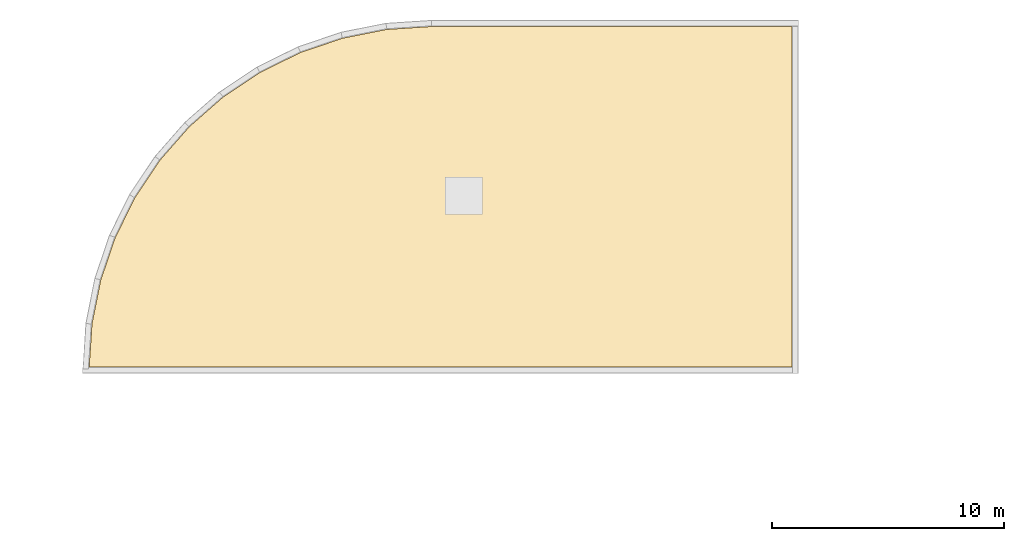
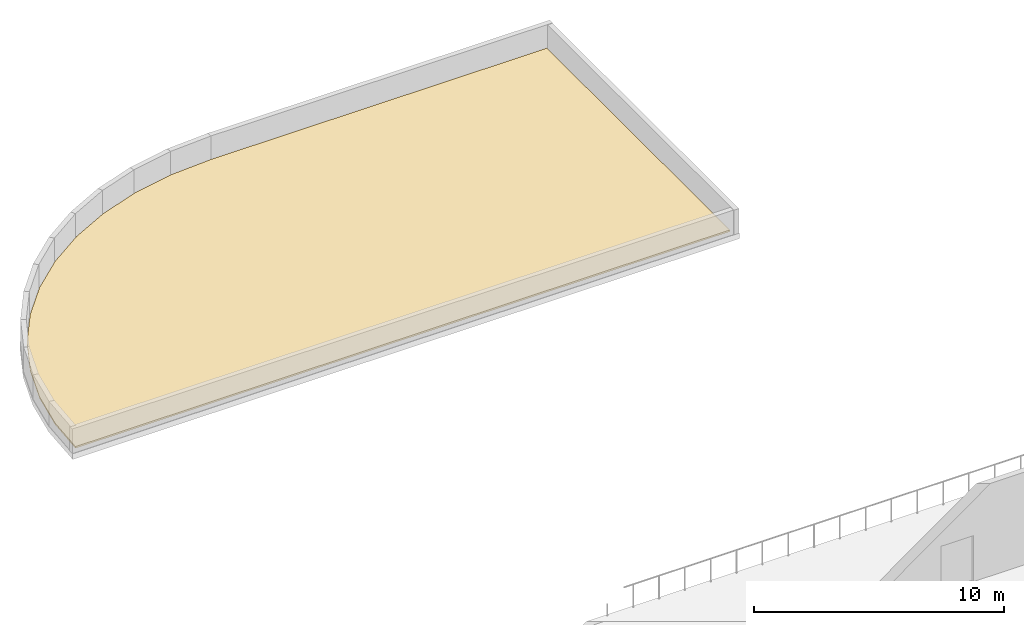
# One storey, part 23 of 23: 1 covering.
"""IFC4 building model written with IfcOpenShell, lengths in metres."""

from ifc_helpers import new_model, si_unit, direction, frame, origin, place, context, subcontext, project, spatial, polyline, outline, extrude, material, layer, layer_set, type_object, element, save


model = new_model("IFC4")

# Units and contexts
model_context = context("Model", 3, precision=1e-05, world=origin(), true_north=direction((0.0, 1.0)))
body_context = subcontext(model_context, "Body", "Model", "MODEL_VIEW")
ifc_project = project(units=[si_unit("LENGTHUNIT", "METRE"), si_unit("AREAUNIT", "SQUARE_METRE"), si_unit("VOLUMEUNIT", "CUBIC_METRE"), si_unit("PLANEANGLEUNIT", "RADIAN"), si_unit("MASSUNIT", "GRAM", prefix="KILO")], contexts=[model_context])

# Site, building, storey
site_placement = place(None, origin())
site = spatial("IfcSite", under=ifc_project, at=site_placement, CompositionType="ELEMENT")
building_placement = place(site_placement, origin())
building = spatial("IfcBuilding", under=site, at=building_placement, Name="Cendralis Terraced Arcade", CompositionType="ELEMENT")
storey_placement = place(building_placement, frame((0.0, 0.0, 29.39990234375)))
storey = spatial("IfcBuildingStorey", under=building, at=storey_placement, Name="L06", CompositionType="ELEMENT", Elevation=29.39990234375)

# Covering
ifc_material = material(Name="TPO insulated waterproofing membrane")
ifc_layer = layer(ifc_material, 0.080078125, Name="COV-ROOF-MEM-80")
ifc_layer_set = layer_set([ifc_layer], Name="TPO insulated waterproofing membrane")
covering_type = type_object("IfcCoveringType", Name="COV-ROOF-MEM-80", PredefinedType="ROOFING", material=ifc_layer_set)
covering_placement = place(storey_placement, origin())
element("IfcCovering", 1, at=covering_placement, inside=storey, type_object=covering_type, Name="Insulated Waterproofing Roof Membrane L06-09", PredefinedType="ROOFING", context=body_context, shape_type="SweptSolid", body=[
    extrude(outline(polyline([(7.8857421875, 69.8798828125), (8.006591796875, 71.72119140625), (8.382080078125, 73.609619140625), (9.0009765625, 75.432861328125), (9.8525390625, 77.15966796875), (10.92236328125, 78.760498046875), (12.19189453125, 80.208251953125), (13.639404296875, 81.477783203125), (15.240234375, 82.54736328125), (16.967041015625, 83.39892578125), (18.790283203125, 84.017822265625), (20.6787109375, 84.3935546875), (22.609130859375, 84.52001953125), (38.1201171875, 84.52001953125), (38.1201171875, 69.8798828125), (7.8857421875, 69.8798828125)])), origin(), (0.0, 0.0, 1.0), 0.080078125),
])

save(model, "model.ifc")
